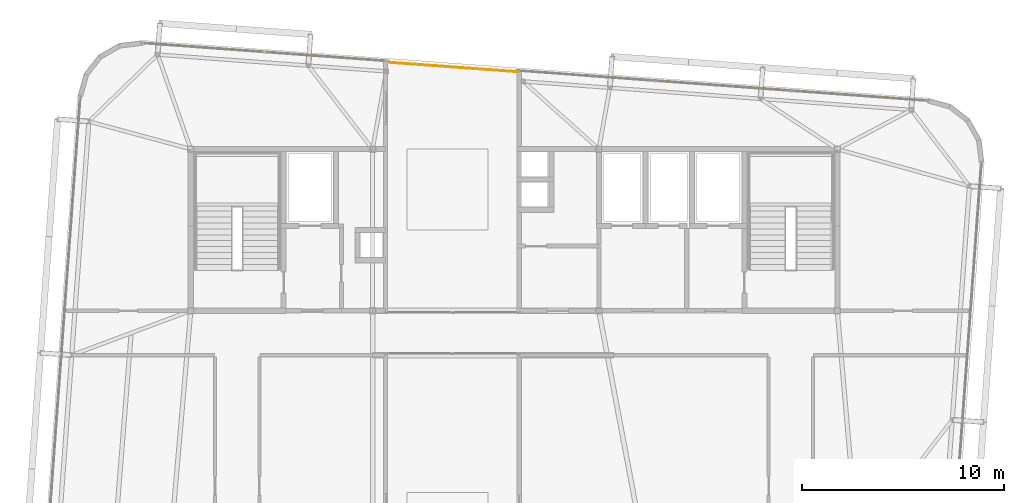
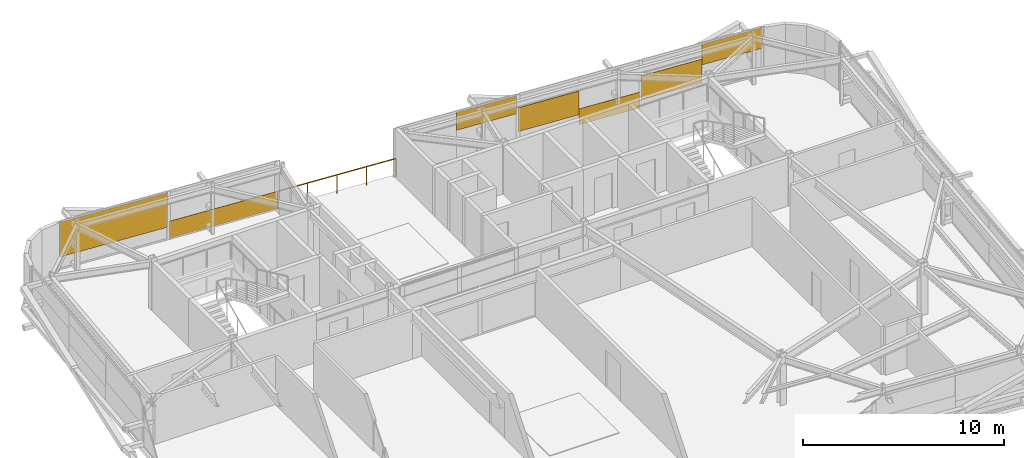
# One storey, part 36 of 36: 7 coverings, 1 railing.
"""IFC4 building model written with IfcOpenShell, lengths in metres."""

from ifc_helpers import new_model, si_unit, direction, frame, origin, origin_2d, place, context, subcontext, project, spatial, rectangle, extrude, source, transform, mapped, material, layer, layer_set, type_object, element, save


model = new_model("IFC4")

# Units and contexts
model_context = context("Model", 3, precision=1e-05, world=origin(), true_north=direction((0.0, 1.0)))
body_context = subcontext(model_context, "Body", "Model", "MODEL_VIEW")
ifc_project = project(units=[si_unit("LENGTHUNIT", "METRE"), si_unit("AREAUNIT", "SQUARE_METRE"), si_unit("VOLUMEUNIT", "CUBIC_METRE"), si_unit("PLANEANGLEUNIT", "RADIAN"), si_unit("MASSUNIT", "GRAM", prefix="KILO")], contexts=[model_context])

# Site, building, storey
site_placement = place(None, origin())
site = spatial("IfcSite", under=ifc_project, at=site_placement, CompositionType="ELEMENT")
building_placement = place(site_placement, origin())
building = spatial("IfcBuilding", under=site, at=building_placement, Name="Taldren Reach Tower", CompositionType="ELEMENT")
storey_placement = place(building_placement, frame((0.0, 0.0, 227.14990234375)))
storey = spatial("IfcBuildingStorey", under=building, at=storey_placement, Name="L69", CompositionType="ELEMENT", Elevation=227.14990234375)

# Railing
ifc_material_1 = material(Name="Laminated Glass and Pale-Anodised Aluminium Balustrade", Category="aluminium")
ifc_layer_1 = layer(ifc_material_1, 0.070068359375)
ifc_layer_set_1 = layer_set([ifc_layer_1], Name="Laminated Glass and Pale-Anodised Aluminium Balustrade")
railing_type = type_object("IfcRailingType", Name="RL-TERR-1150", PredefinedType="GUARDRAIL", material=ifc_layer_set_1)
railing_placement = place(storey_placement, frame((35.205322265625, 35.819580078125, 0.0)))
element("IfcRailing", 1, at=railing_placement, inside=storey, type_object=railing_type, Name="Wind portal belvedere north guardrail L69", PredefinedType="GUARDRAIL", context=body_context, shape_type="SweptSolid", body=[
    extrude(rectangle(XDim=0.047852, YDim=0.047852, at=origin_2d()), frame((0.0, 0.0, 1.1259765625), z_axis=(-0.997314529539, 0.073237484737, 0.0), x_axis=(-0.073237484737, -0.997314529539, 0.0)), (0.0, 0.0, 1.0), 6.537109375),
    extrude(rectangle(XDim=0.041992, YDim=0.041992, at=origin_2d()), origin(), (0.0, 0.0, 1.0), 1.101806640625),
    extrude(rectangle(XDim=0.041992, YDim=0.041992, at=origin_2d()), frame((-1.6298828125, 0.11962890625, 0.0)), (0.0, 0.0, 1.0), 1.101806640625),
    extrude(rectangle(XDim=0.041992, YDim=0.041992, at=origin_2d()), frame((-3.259765625, 0.2392578125, 0.0)), (0.0, 0.0, 1.0), 1.101806640625),
    extrude(rectangle(XDim=0.041992, YDim=0.041992, at=origin_2d()), frame((-4.8896484375, 0.359130859375, 0.0)), (0.0, 0.0, 1.0), 1.101806640625),
    extrude(rectangle(XDim=0.041992, YDim=0.041992, at=origin_2d()), frame((-6.51953125, 0.478759765625, 0.0)), (0.0, 0.0, 1.0), 1.101806640625),
])

# Coverings
ifc_material_2 = material(Name="Pale Champagne Fluoropolymer Aluminium Spandrel Cladding", Category="aluminium")
ifc_layer_2 = layer(ifc_material_2, 0.0439453125)
ifc_layer_set_2 = layer_set([ifc_layer_2], Name="Pale Champagne Fluoropolymer Aluminium Spandrel Cladding")
covering_type = type_object("IfcCoveringType", Name="CV-CLAD-044", PredefinedType="CLADDING", material=ifc_layer_set_2)
shared_shape_1 = source(origin(), body_context, "Body", "SweptSolid", [
    extrude(rectangle(XDim=3.34375, YDim=0.0439453125, at=origin_2d()), origin(), (0.0, 0.0, 1.0), 1.24658203125),
])
covering_1_placement = place(storey_placement, frame((53.75244140625, 34.517822265625, 1.62353515625), z_axis=(0.0, 0.0, 1.0), x_axis=(-0.997314475893, 0.073238215265, 0.0)))
element("IfcCovering", 2, at=covering_1_placement, inside=storey, type_object=covering_type, Name="Diagrid closure cladding strip CW-7 panel 1.1 1", PredefinedType="CLADDING", context=body_context, shape_type="MappedRepresentation", body=[
    mapped(shared_shape_1, transform((0.0, 0.0, 0.0), scale=1.0)),
])
shared_shape_2 = source(origin(), body_context, "Body", "SweptSolid", [
    extrude(rectangle(XDim=3.34375, YDim=0.0439453125, at=origin_2d()), origin(), (0.0, 0.0, 1.0), 1.43798828125),
])
covering_2_placement = place(storey_placement, frame((50.417724609375, 34.7626953125, 0.537353515625), z_axis=(0.0, 0.0, 1.0), x_axis=(-0.997314475893, 0.073238215265, 0.0)))
element("IfcCovering", 3, at=covering_2_placement, inside=storey, type_object=covering_type, Name="Diagrid closure cladding strip CW-7 panel 1.1 2", PredefinedType="CLADDING", context=body_context, shape_type="MappedRepresentation", body=[
    mapped(shared_shape_2, transform((0.0, 0.0, 0.0), scale=1.0)),
])
shared_shape_3 = source(origin(), body_context, "Body", "SweptSolid", [
    extrude(rectangle(XDim=3.3623046875, YDim=0.0439453125, at=origin_2d()), origin(), (0.0, 0.0, 1.0), 0.95947265625),
])
covering_3_placement = place(storey_placement, frame((46.9990234375, 35.013671875, 0.06005859375), z_axis=(0.0, 0.0, 1.0), x_axis=(-0.997314475893, 0.073238215265, 0.0)))
element("IfcCovering", 4, at=covering_3_placement, inside=storey, type_object=covering_type, Name="Diagrid closure cladding strip CW-7 panel 2.1 1", PredefinedType="CLADDING", context=body_context, shape_type="MappedRepresentation", body=[
    mapped(shared_shape_3, transform((0.0, 0.0, 0.0), scale=1.0)),
])
shared_shape_4 = source(origin(), body_context, "Body", "SweptSolid", [
    extrude(rectangle(XDim=3.3623046875, YDim=0.0439453125, at=origin_2d()), origin(), (0.0, 0.0, 1.0), 1.444091796875),
])
covering_4_placement = place(storey_placement, frame((43.6455078125, 35.260009765625, 0.66796875), z_axis=(0.0, 0.0, 1.0), x_axis=(-0.997314475893, 0.073238215265, 0.0)))
element("IfcCovering", 5, at=covering_4_placement, inside=storey, type_object=covering_type, Name="Diagrid closure cladding strip CW-7 panel 2.1 2", PredefinedType="CLADDING", context=body_context, shape_type="MappedRepresentation", body=[
    mapped(shared_shape_4, transform((0.0, 0.0, 0.0), scale=1.0)),
])
shared_shape_5 = source(origin(), body_context, "Body", "SweptSolid", [
    extrude(rectangle(XDim=3.34375, YDim=0.0439453125, at=origin_2d()), origin(), (0.0, 0.0, 1.0), 1.08544921875),
])
covering_5_placement = place(storey_placement, frame((40.226806640625, 35.510986328125, 1.78466796875), z_axis=(0.0, 0.0, 1.0), x_axis=(-0.997314475893, 0.073238215265, 0.0)))
element("IfcCovering", 6, at=covering_5_placement, inside=storey, type_object=covering_type, Name="Diagrid closure cladding strip CW-7 panel 3.1 1", PredefinedType="CLADDING", context=body_context, shape_type="MappedRepresentation", body=[
    mapped(shared_shape_5, transform((0.0, 0.0, 0.0), scale=1.0)),
])
shared_shape_6 = source(origin(), body_context, "Body", "SweptSolid", [
    extrude(rectangle(XDim=5.979248046875, YDim=0.0439453125, at=origin_2d()), origin(), (0.0, 0.0, 1.0), 1.03466796875),
])
covering_6_placement = place(storey_placement, frame((25.693603515625, 36.578125, 0.06005859375), z_axis=(0.0, 0.0, 1.0), x_axis=(-0.99731449581, 0.073237944038, 0.0)))
element("IfcCovering", 7, at=covering_6_placement, inside=storey, type_object=covering_type, Name="Diagrid closure cladding strip CW-7 panel 1.1 1", PredefinedType="CLADDING", context=body_context, shape_type="MappedRepresentation", body=[
    mapped(shared_shape_6, transform((0.0, 0.0, 0.0), scale=1.0)),
])
shared_shape_7 = source(origin(), body_context, "Body", "SweptSolid", [
    extrude(rectangle(XDim=5.979248046875, YDim=0.0439453125, at=origin_2d()), origin(), (0.0, 0.0, 1.0), 2.102783203125),
])
covering_7_placement = place(storey_placement, frame((19.65576171875, 37.021728515625, 0.76708984375), z_axis=(0.0, 0.0, 1.0), x_axis=(-0.99731449581, 0.073237944038, 0.0)))
element("IfcCovering", 8, at=covering_7_placement, inside=storey, type_object=covering_type, Name="Diagrid closure cladding strip CW-7 panel 2.1 1", PredefinedType="CLADDING", context=body_context, shape_type="MappedRepresentation", body=[
    mapped(shared_shape_7, transform((0.0, 0.0, 0.0), scale=1.0)),
])

save(model, "model.ifc")
